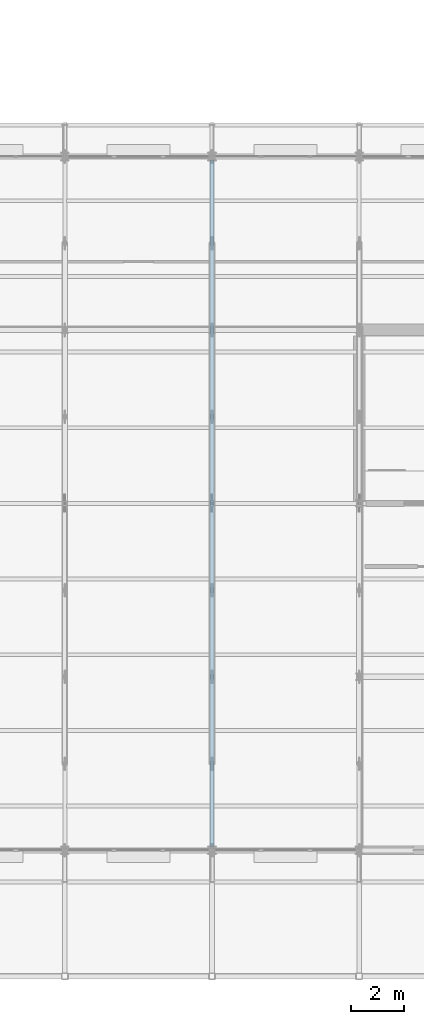
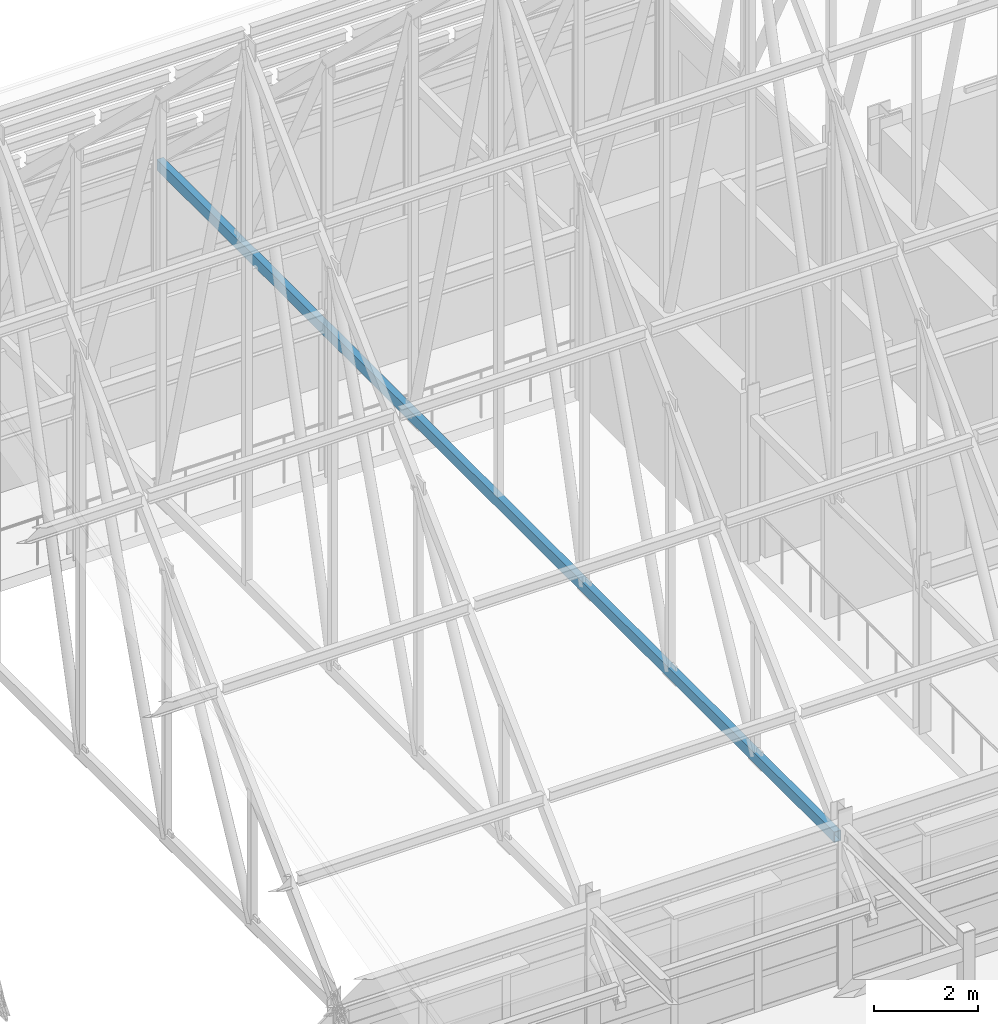
# One storey, part 49 of 144: 1 member.
"""IFC4 building model written with IfcOpenShell, lengths in metres."""

from ifc_helpers import new_model, si_unit, direction, frame, origin, origin_2d, place, context, subcontext, project, spatial, hollow_rectangle, extrude, material, material_profile, profile_set, type_object, element, save


model = new_model("IFC4")

# Units and contexts
model_context = context("Model", 3, precision=1e-05, world=origin(), true_north=direction((0.0, 1.0)))
body_context = subcontext(model_context, "Body", "Model", "MODEL_VIEW")
ifc_project = project(units=[si_unit("LENGTHUNIT", "METRE"), si_unit("AREAUNIT", "SQUARE_METRE"), si_unit("VOLUMEUNIT", "CUBIC_METRE"), si_unit("PLANEANGLEUNIT", "RADIAN"), si_unit("MASSUNIT", "GRAM", prefix="KILO")], contexts=[model_context])

# Site, building, storey
site_placement = place(None, origin())
site = spatial("IfcSite", under=ifc_project, at=site_placement, CompositionType="ELEMENT")
building_placement = place(site_placement, origin())
building = spatial("IfcBuilding", under=site, at=building_placement, Name="Trelmorton Wharf Fire Station", CompositionType="ELEMENT")
storey_placement = place(building_placement, frame((0.0, 0.0, 5.39990234375)))
storey = spatial("IfcBuildingStorey", under=building, at=storey_placement, Name="L01", CompositionType="ELEMENT", Elevation=5.39990234375)

# Member
ifc_material = material(Name="Steel C350L0 (350 MPa)", Category="steel")
ifc_material_profile = material_profile(ifc_material, hollow_rectangle(XDim=0.14990234375, YDim=0.25, WallThickness=0.009033203125, at=origin_2d()), Name="250x150x9.0RHS")
ifc_profile_set = profile_set([ifc_material_profile], Name="Steel C350L0 (350 MPa)")
member_type = type_object("IfcMemberType", Name="TR_CHORD_250RHS", PredefinedType="CHORD", material=ifc_profile_set)
member_placement = place(storey_placement, frame((45.60009765625, 7.95361328125, 3.351806640625), z_axis=(0.0, 1.0, 0.0), x_axis=(-1.0, 0.0, 0.0)))
element("IfcMember", 1, at=member_placement, inside=storey, type_object=member_type, Name="V1-TR09-BC", PredefinedType="CHORD", context=body_context, shape_type="SweptSolid", body=[
    extrude(hollow_rectangle(XDim=0.14990234375, YDim=0.25, WallThickness=0.009033203125, at=origin_2d()), origin(), (0.0, 0.0, 1.0), 26.0927734375),
])

save(model, "model.ifc")
